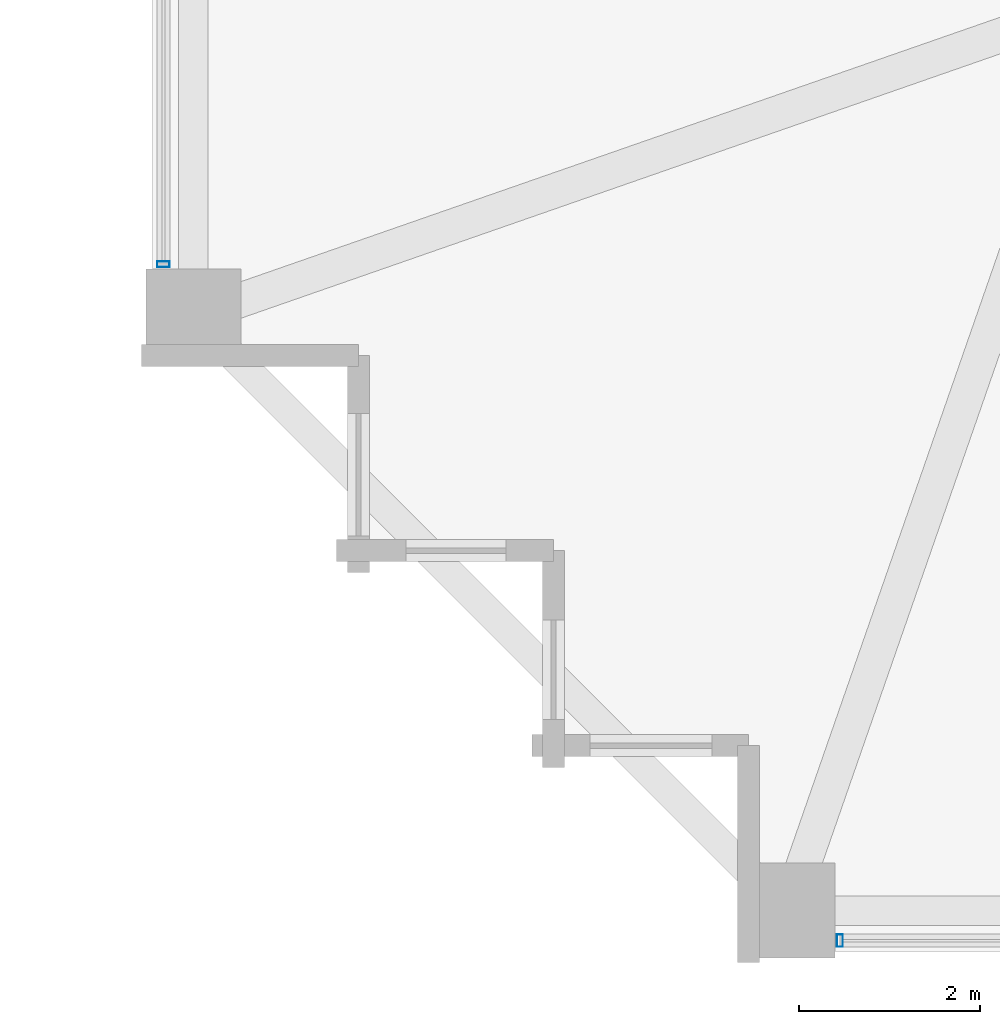
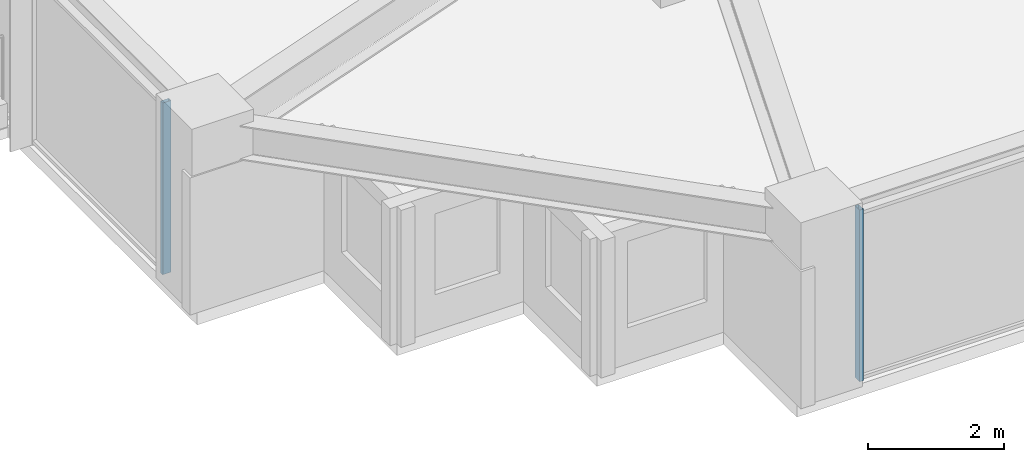
# One storey, part 2 of 36: 2 members, 2 elements without a shape of their own.
"""IFC4 building model written with IfcOpenShell, lengths in metres."""

from ifc_helpers import new_model, si_unit, direction, frame, origin, origin_2d, place, context, subcontext, project, spatial, hollow_rectangle, extrude, material, material_profile, profile_set, type_object, element, aggregate, save


model = new_model("IFC4")

# Units and contexts
model_context = context("Model", 3, precision=1e-05, world=origin(), true_north=direction((0.0, 1.0)))
body_context = subcontext(model_context, "Body", "Model", "MODEL_VIEW")
ifc_project = project(units=[si_unit("LENGTHUNIT", "METRE"), si_unit("AREAUNIT", "SQUARE_METRE"), si_unit("VOLUMEUNIT", "CUBIC_METRE"), si_unit("PLANEANGLEUNIT", "RADIAN"), si_unit("MASSUNIT", "GRAM", prefix="KILO")], contexts=[model_context])

# Site, building, storey
site_placement = place(None, origin())
site = spatial("IfcSite", under=ifc_project, at=site_placement, CompositionType="ELEMENT")
building_placement = place(site_placement, origin())
building = spatial("IfcBuilding", under=site, at=building_placement, Name="Kolvaren Belvedere", CompositionType="ELEMENT")
storey_placement = place(building_placement, frame((0.0, 0.0, 88.699951171875)))
storey = spatial("IfcBuildingStorey", under=building, at=storey_placement, Name="L25", CompositionType="ELEMENT", Elevation=88.699951171875)

# Curtain wall, member
ifc_material_1 = material(Name="Anodised pale-metal aluminium AA 6063-T6", Category="aluminium")
curtain_wall_type = type_object("IfcCurtainWallType", Name="CW-Z2-MID", PredefinedType="NOTDEFINED", material=ifc_material_1)
curtain_wall_1_placement = place(storey_placement, origin())
curtain_wall_1 = element("IfcCurtainWall", 1, at=curtain_wall_1_placement, inside=storey, type_object=curtain_wall_type, Name="L25 Unitised Curtain Wall FCW-L25-S-B3", PredefinedType="NOTDEFINED")
ifc_material_2 = material(Name="Anodised pale-metal aluminium AA 6063-T6", Category="aluminium")
ifc_material_profile = material_profile(ifc_material_2, hollow_rectangle(XDim=0.06494140625, YDim=0.139892578125, WallThickness=0.00390625, at=origin_2d()), Name="ALU-MUL-140X65")
ifc_profile_set = profile_set([ifc_material_profile], Name="Anodised pale-metal aluminium AA 6063-T6")
member_type = type_object("IfcMemberType", Name="CW-MUL-140", PredefinedType="MULLION", material=ifc_profile_set)
member_1_placement = place(storey_placement, frame((-12.822509765625, -20.280029296875, 0.0), z_axis=(0.0, 0.0, 1.0), x_axis=(1.0, 0.0, 0.0)))
member_1 = element("IfcMember", 2, at=member_1_placement, type_object=member_type, Name="FCW-L25-S-B3 Unitised Mullion 3", PredefinedType="MULLION", context=body_context, shape_type="SweptSolid", body=[
    extrude(hollow_rectangle(XDim=0.06494140625, YDim=0.139892578125, WallThickness=0.00390625, at=origin_2d()), origin(), (0.0, 0.0, 1.0), 3.080078125),
])
aggregate(curtain_wall_1, [member_1])

curtain_wall_2_placement = place(storey_placement, origin())
curtain_wall_2 = element("IfcCurtainWall", 3, at=curtain_wall_2_placement, inside=storey, type_object=curtain_wall_type, Name="L25 Unitised Curtain Wall FCW-L25-W1-B1", PredefinedType="NOTDEFINED")
member_2_placement = place(storey_placement, frame((-20.280029296875, -12.822509765625, 0.0), z_axis=(0.0, 0.0, 1.0), x_axis=(0.0, 1.0, 0.0)))
member_2 = element("IfcMember", 4, at=member_2_placement, type_object=member_type, Name="FCW-L25-W1-B1 Unitised Mullion 1", PredefinedType="MULLION", context=body_context, shape_type="SweptSolid", body=[
    extrude(hollow_rectangle(XDim=0.06494140625, YDim=0.139892578125, WallThickness=0.00390625, at=origin_2d()), origin(), (0.0, 0.0, 1.0), 3.080078125),
])
aggregate(curtain_wall_2, [member_2])

save(model, "model.ifc")
